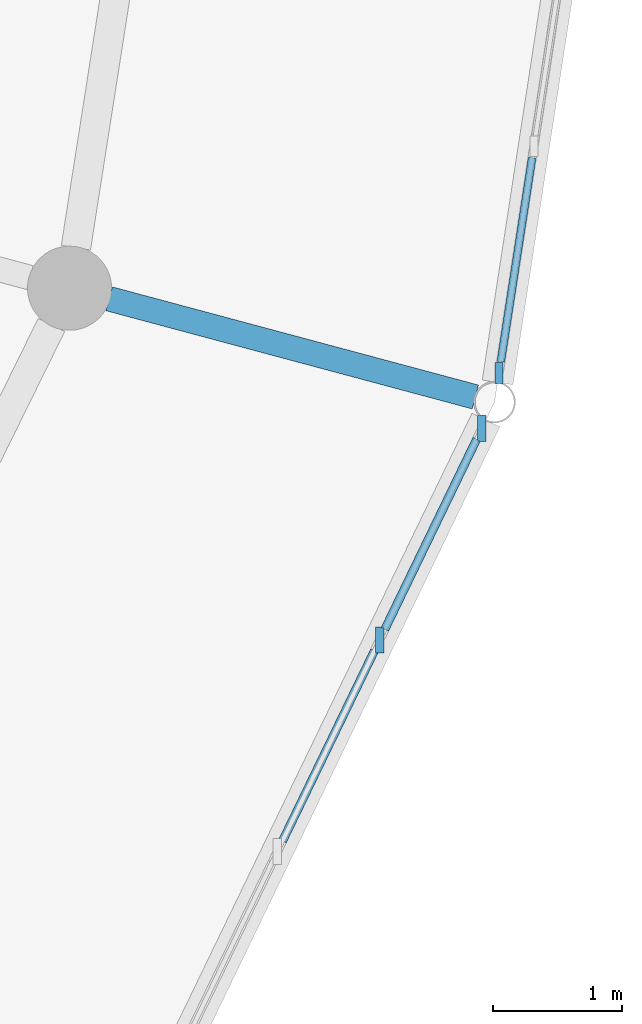
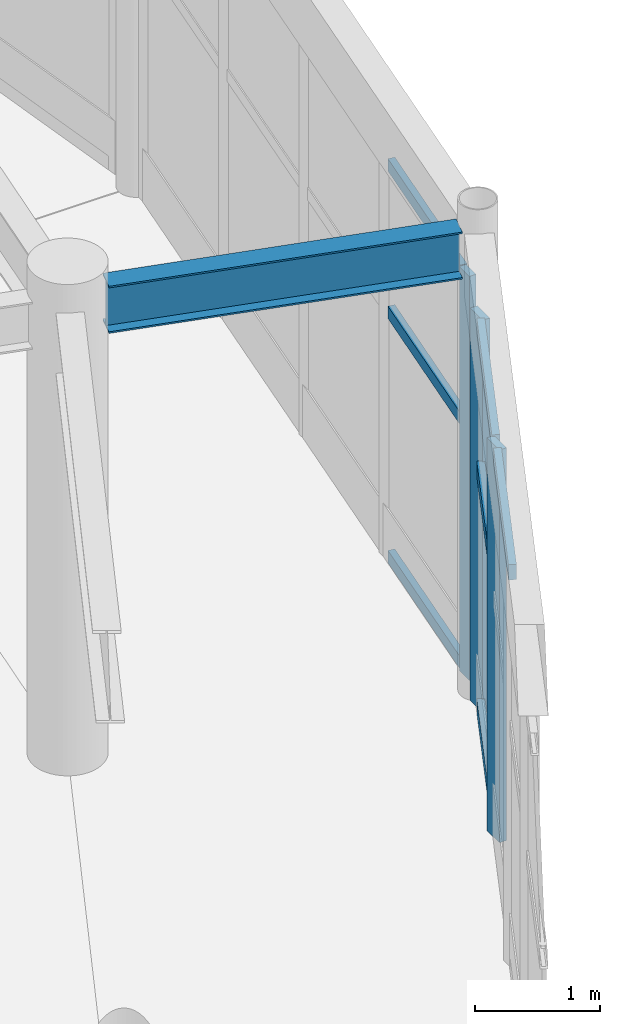
# One storey, part 72 of 144: 10 members, 1 beam, 2 elements without a shape of their own.
"""IFC4 building model written with IfcOpenShell, lengths in metres."""

from ifc_helpers import new_model, si_unit, direction, frame, origin, origin_2d, place, context, subcontext, project, spatial, rectangle, i_section, extrude, material, material_profile, profile_set, type_object, element, aggregate, save


model = new_model("IFC4")

# Units and contexts
model_context = context("Model", 3, precision=1e-05, world=origin(), true_north=direction((0.0, 1.0)))
body_context = subcontext(model_context, "Body", "Model", "MODEL_VIEW")
ifc_project = project(units=[si_unit("LENGTHUNIT", "METRE"), si_unit("AREAUNIT", "SQUARE_METRE"), si_unit("VOLUMEUNIT", "CUBIC_METRE"), si_unit("PLANEANGLEUNIT", "RADIAN"), si_unit("MASSUNIT", "GRAM", prefix="KILO")], contexts=[model_context])

# Site, building, storey
site_placement = place(None, origin())
site = spatial("IfcSite", under=ifc_project, at=site_placement, CompositionType="ELEMENT")
building_placement = place(site_placement, origin())
building = spatial("IfcBuilding", under=site, at=building_placement, Name="Cinderbank Siding Concert Hall", CompositionType="ELEMENT")
storey_placement = place(building_placement, frame((0.0, 0.0, 5.39990234375)))
storey = spatial("IfcBuildingStorey", under=building, at=storey_placement, Name="L02", CompositionType="ELEMENT", Elevation=5.39990234375)

# Beam
ifc_material_1 = material(Name="Structural steel AS/NZS 3679.1 Grade 350 (340 MPa)", Category="steel")
ifc_material_profile_1 = material_profile(ifc_material_1, i_section(OverallWidth=0.19091796875, OverallDepth=0.46044921875, WebThickness=0.010009765625, FlangeThickness=0.01611328125, at=origin_2d()), Name="460UB82.1", Category="LoadBearing")
ifc_profile_set_1 = profile_set([ifc_material_profile_1], Name="Structural steel AS/NZS 3679.1 Grade 350 (340 MPa)")
beam_type = type_object("IfcBeamType", Name="BM-UB460H 460UB82.1", PredefinedType="BEAM", material=ifc_profile_set_1)
beam_placement = place(storey_placement, frame((151.477294921875, 37.343994140625, 4.331787109375), z_axis=(0.965904885504, -0.258897184534, 0.0), x_axis=(0.258897184534, 0.965904885504, 0.0)))
element("IfcBeam", 1, at=beam_placement, inside=storey, type_object=beam_type, Name="L02 Beam BM-UB460H #544", PredefinedType="BEAM", context=body_context, shape_type="SweptSolid", body=[
    extrude(i_section(OverallWidth=0.19091796875, OverallDepth=0.46044921875, WebThickness=0.010009765625, FlangeThickness=0.01611328125, at=origin_2d()), origin(), (0.0, 0.0, 1.0), 2.928955078125),
])

# Curtain wall, member
ifc_material_2 = material(Name="Anodised aluminium alloy 6063-T6", Category="aluminium")
curtain_wall_type_1 = type_object("IfcCurtainWallType", Name="CW-12 Unitised Acoustic Curtain Wall 5800x3500", PredefinedType="NOTDEFINED", material=ifc_material_2)
curtain_wall_1_placement = place(storey_placement, origin())
curtain_wall_1 = element("IfcCurtainWall", 2, at=curtain_wall_1_placement, inside=storey, type_object=curtain_wall_type_1, Name="L02 Curtain Wall CW-12 #24", PredefinedType="NOTDEFINED")
ifc_material_profile_2 = material_profile(ifc_material_2, rectangle(XDim=0.06005859375, YDim=0.159912109375, at=origin_2d()), Name="ALU-MULL-60x160", Category="LoadBearing")
ifc_profile_set_2 = profile_set([ifc_material_profile_2], Name="Anodised aluminium alloy 6063-T6")
member_type_1 = type_object("IfcMemberType", Name="CW-ML1 Mullion 60x160", PredefinedType="MULLION", material=ifc_profile_set_2)
member_1_placement = place(storey_placement, frame((154.489501953125, 36.770263671875, 0.0), z_axis=(0.0, 0.0, 1.0), x_axis=(1.0, 0.0, 0.0)))
member_1 = element("IfcMember", 3, at=member_1_placement, type_object=member_type_1, Name="CW-L02-024 Mullion 0", PredefinedType="MULLION", context=body_context, shape_type="SweptSolid", body=[
    extrude(rectangle(XDim=0.06005859375, YDim=0.159912109375, at=origin_2d()), origin(), (0.0, 0.0, 1.0), 3.947021484375),
])

# Curtain wall, members
curtain_wall_type_2 = type_object("IfcCurtainWallType", Name="CW-11 Unitised Acoustic Curtain Wall 6600x3500", PredefinedType="NOTDEFINED", material=ifc_material_2)
curtain_wall_2_placement = place(storey_placement, origin())
curtain_wall_2 = element("IfcCurtainWall", 4, at=curtain_wall_2_placement, inside=storey, type_object=curtain_wall_type_2, Name="L02 Curtain Wall CW-11 #23", PredefinedType="NOTDEFINED")
ifc_material_profile_3 = material_profile(ifc_material_2, rectangle(XDim=0.06494140625, YDim=0.199951171875, at=origin_2d()), Name="ALU-MULL-65x200", Category="LoadBearing")
ifc_profile_set_3 = profile_set([ifc_material_profile_3], Name="Anodised aluminium alloy 6063-T6")
member_type_2 = type_object("IfcMemberType", Name="CW-ML2 Mullion 65x200", PredefinedType="MULLION", material=ifc_profile_set_3)
member_2_placement = place(storey_placement, frame((153.566650390625, 34.707275390625, 0.0), z_axis=(0.0, 0.0, 1.0), x_axis=(1.0, 0.0, 0.0)))
member_2 = element("IfcMember", 5, at=member_2_placement, type_object=member_type_2, Name="CW-L02-023 Mullion 3", PredefinedType="MULLION", context=body_context, shape_type="SweptSolid", body=[
    extrude(rectangle(XDim=0.06494140625, YDim=0.199951171875, at=origin_2d()), origin(), (0.0, 0.0, 1.0), 3.837158203125),
])
member_3_placement = place(storey_placement, frame((154.3564453125, 36.341796875, 0.0), z_axis=(0.0, 0.0, 1.0), x_axis=(1.0, 0.0, 0.0)))
member_3 = element("IfcMember", 6, at=member_3_placement, type_object=member_type_2, Name="CW-L02-023 Mullion 4", PredefinedType="MULLION", context=body_context, shape_type="SweptSolid", body=[
    extrude(rectangle(XDim=0.06494140625, YDim=0.199951171875, at=origin_2d()), origin(), (0.0, 0.0, 1.0), 3.837158203125),
])

# Member
ifc_material_profile_4 = material_profile(ifc_material_2, rectangle(XDim=0.06005859375, YDim=0.1201171875, at=origin_2d()), Name="ALU-TRAN-60x120", Category="LoadBearing")
ifc_profile_set_4 = profile_set([ifc_material_profile_4], Name="Anodised aluminium alloy 6063-T6")
member_type_3 = type_object("IfcMemberType", Name="CW-TR1 Transom 60x120", PredefinedType="USERDEFINED", material=ifc_profile_set_4)
member_4_placement = place(storey_placement, frame((154.5029296875, 36.85791015625, 0.06005859375), z_axis=(0.151873110161, 0.988399999196, 0.0), x_axis=(-0.988399999196, 0.151873110161, 0.0)))
member_4 = element("IfcMember", 7, at=member_4_placement, type_object=member_type_3, Name="CW-L02-024 Transom 0-0", ObjectType="TRANSOM", PredefinedType="USERDEFINED", context=body_context, shape_type="SweptSolid", body=[
    extrude(rectangle(XDim=0.06005859375, YDim=0.1201171875, at=origin_2d()), origin(), (0.0, 0.0, 1.0), 1.5947265625),
])

member_5_placement = place(storey_placement, frame((154.5029296875, 36.85791015625, 2.447265625), z_axis=(0.151873110161, 0.988399999196, 0.0), x_axis=(-0.988399999196, 0.151873110161, 0.0)))
member_5 = element("IfcMember", 8, at=member_5_placement, type_object=member_type_3, Name="CW-L02-024 Transom 0-1", ObjectType="TRANSOM", PredefinedType="USERDEFINED", context=body_context, shape_type="SweptSolid", body=[
    extrude(rectangle(XDim=0.06005859375, YDim=0.1201171875, at=origin_2d()), origin(), (0.0, 0.0, 1.0), 1.5947265625),
])

member_6_placement = place(storey_placement, frame((154.5029296875, 36.85791015625, 3.88720703125), z_axis=(0.151873110161, 0.988399999196, 0.0), x_axis=(-0.988399999196, 0.151873110161, 0.0)))
member_6 = element("IfcMember", 9, at=member_6_placement, type_object=member_type_3, Name="CW-L02-024 Transom 0-2", ObjectType="TRANSOM", PredefinedType="USERDEFINED", context=body_context, shape_type="SweptSolid", body=[
    extrude(rectangle(XDim=0.06005859375, YDim=0.1201171875, at=origin_2d()), origin(), (0.0, 0.0, 1.0), 1.5947265625),
])

aggregate(curtain_wall_1, [member_1, member_4, member_5, member_6])

ifc_material_profile_5 = material_profile(ifc_material_2, rectangle(XDim=0.06494140625, YDim=0.14990234375, at=origin_2d()), Name="ALU-TRAN-65x150", Category="LoadBearing")
ifc_profile_set_5 = profile_set([ifc_material_profile_5], Name="Anodised aluminium alloy 6063-T6")
member_type_4 = type_object("IfcMemberType", Name="CW-TR2 Transom 65x150", PredefinedType="USERDEFINED", material=ifc_profile_set_5)
member_7_placement = place(storey_placement, frame((152.81640625, 33.15478515625, 3.777099609375), z_axis=(0.435095962233, 0.900384086737, 0.0), x_axis=(-0.900384086737, 0.435095962233, 0.0)))
member_7 = element("IfcMember", 10, at=member_7_placement, type_object=member_type_4, Name="CW-L02-023 Transom 2-2", ObjectType="TRANSOM", PredefinedType="USERDEFINED", context=body_context, shape_type="SweptSolid", body=[
    extrude(rectangle(XDim=0.06494140625, YDim=0.14990234375, at=origin_2d()), origin(), (0.0, 0.0, 1.0), 1.63330078125),
])

member_8_placement = place(storey_placement, frame((153.606201171875, 34.7890625, 0.06005859375), z_axis=(0.435037415308, 0.900412376238, 0.0), x_axis=(-0.900412376238, 0.435037415308, 0.0)))
member_8 = element("IfcMember", 11, at=member_8_placement, type_object=member_type_4, Name="CW-L02-023 Transom 3-0", ObjectType="TRANSOM", PredefinedType="USERDEFINED", context=body_context, shape_type="SweptSolid", body=[
    extrude(rectangle(XDim=0.06494140625, YDim=0.14990234375, at=origin_2d()), origin(), (0.0, 0.0, 1.0), 1.633544921875),
])

member_9_placement = place(storey_placement, frame((153.606201171875, 34.7890625, 2.37890625), z_axis=(0.435037415308, 0.900412376238, 0.0), x_axis=(-0.900412376238, 0.435037415308, 0.0)))
member_9 = element("IfcMember", 12, at=member_9_placement, type_object=member_type_4, Name="CW-L02-023 Transom 3-1", ObjectType="TRANSOM", PredefinedType="USERDEFINED", context=body_context, shape_type="SweptSolid", body=[
    extrude(rectangle(XDim=0.06494140625, YDim=0.14990234375, at=origin_2d()), origin(), (0.0, 0.0, 1.0), 1.633544921875),
])

member_10_placement = place(storey_placement, frame((153.606201171875, 34.7890625, 3.777099609375), z_axis=(0.435037415308, 0.900412376238, 0.0), x_axis=(-0.900412376238, 0.435037415308, 0.0)))
member_10 = element("IfcMember", 13, at=member_10_placement, type_object=member_type_4, Name="CW-L02-023 Transom 3-2", ObjectType="TRANSOM", PredefinedType="USERDEFINED", context=body_context, shape_type="SweptSolid", body=[
    extrude(rectangle(XDim=0.06494140625, YDim=0.14990234375, at=origin_2d()), origin(), (0.0, 0.0, 1.0), 1.633544921875),
])

aggregate(curtain_wall_2, [member_2, member_3, member_7, member_8, member_9, member_10])

save(model, "model.ifc")
